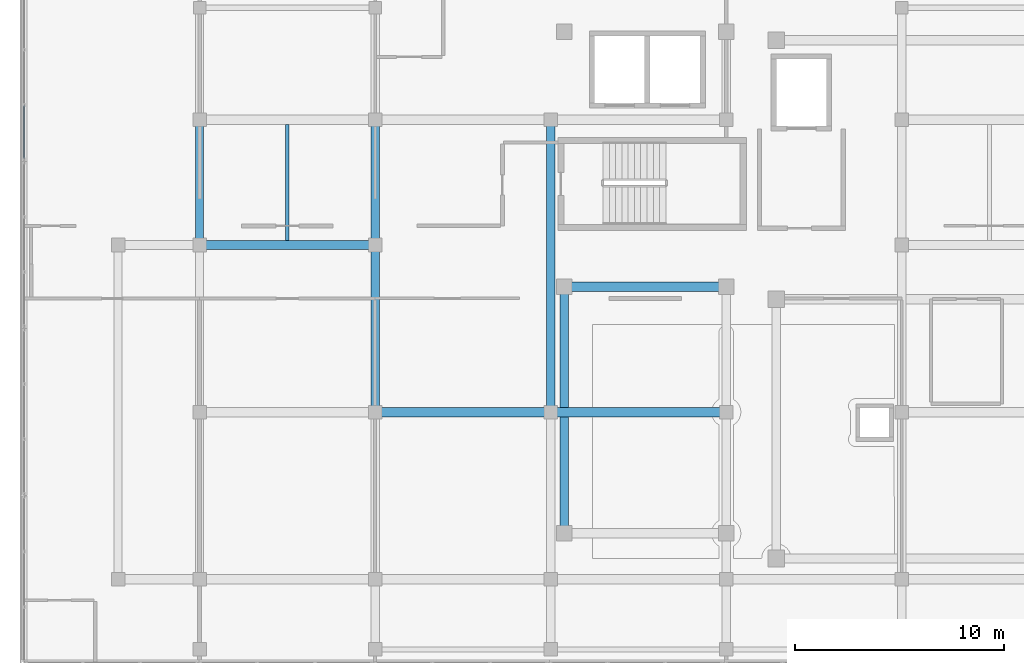
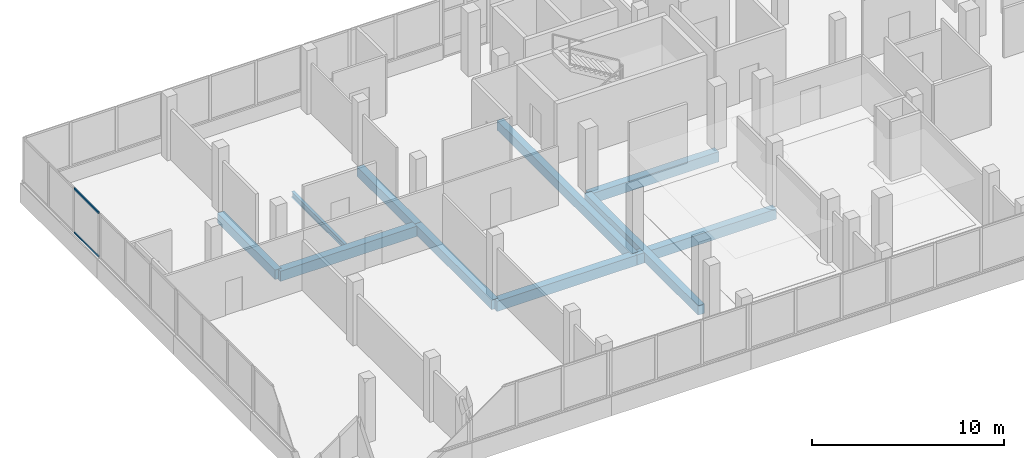
# One storey, part 17 of 76: 10 beams, 2 members, 1 element without a shape of its own.
"""IFC4 building model written with IfcOpenShell, lengths in metres."""

from ifc_helpers import new_model, si_unit, direction, frame, origin, origin_2d, place, context, subcontext, project, spatial, rectangle, hollow_rectangle, i_section, extrude, material, material_profile, profile_set, type_object, element, aggregate, save


model = new_model("IFC4")

# Units and contexts
model_context = context("Model", 3, precision=1e-05, world=origin(), true_north=direction((0.0, 1.0)))
body_context = subcontext(model_context, "Body", "Model", "MODEL_VIEW")
ifc_project = project(units=[si_unit("LENGTHUNIT", "METRE"), si_unit("AREAUNIT", "SQUARE_METRE"), si_unit("VOLUMEUNIT", "CUBIC_METRE"), si_unit("PLANEANGLEUNIT", "RADIAN"), si_unit("MASSUNIT", "GRAM", prefix="KILO")], contexts=[model_context])

# Site, building, storey
site_placement = place(None, origin())
site = spatial("IfcSite", under=ifc_project, at=site_placement, CompositionType="ELEMENT")
building_placement = place(site_placement, origin())
building = spatial("IfcBuilding", under=site, at=building_placement, Name="Selatvlak General Hospital", CompositionType="ELEMENT")
storey_placement = place(building_placement, frame((0.0, 0.0, 27.300048828125)))
storey = spatial("IfcBuildingStorey", under=building, at=storey_placement, Name="L06", CompositionType="ELEMENT", Elevation=27.300048828125)

# Beams
ifc_material_1 = material(Name="Concrete C40/50", Category="concrete")
ifc_material_profile_1 = material_profile(ifc_material_1, rectangle(XDim=0.449951171875, YDim=0.64990234375, at=origin_2d()), Name="RC-BM 450x650")
ifc_profile_set_1 = profile_set([ifc_material_profile_1], Name="Concrete C40/50")
beam_type_1 = type_object("IfcBeamType", Name="BM-G04", PredefinedType="BEAM", material=ifc_profile_set_1)
for number, where, z_axis, x_axis, name in (
    (1, (39.60009765625, 100.0, -0.60009765625), (1.0, 0.0, 0.0), (0.0, 1.0, 0.0), "Beam BMR-L06-2186"),
    (2, (48.0, 100.0, -0.60009765625), (1.0, 0.0, 0.0), (0.0, 1.0, 0.0), "Beam BMR-L06-2187"),
):
    element("IfcBeam", number, at=place(storey_placement, frame(where, z_axis=z_axis, x_axis=x_axis)), inside=storey, type_object=beam_type_1, Name=name, PredefinedType="BEAM", context=body_context, shape_type="SweptSolid", body=[
        extrude(rectangle(XDim=0.449951171875, YDim=0.64990234375, at=origin_2d()), origin(), (0.0, 0.0, 1.0), 8.39990234375),
    ])
beam_1_placement = place(storey_placement, frame((48.64990234375, 106.0, -0.60009765625), z_axis=(1.0, 0.0, 0.0), x_axis=(0.0, 1.0, 0.0)))
element("IfcBeam", 3, at=beam_1_placement, inside=storey, type_object=beam_type_1, Name="Beam BMR-L06-2203", PredefinedType="BEAM", context=body_context, shape_type="SweptSolid", body=[
    extrude(rectangle(XDim=0.449951171875, YDim=0.64990234375, at=origin_2d()), origin(), (0.0, 0.0, 1.0), 7.75),
])
beam_2_placement = place(storey_placement, frame((31.199951171875, 108.0, -0.60009765625), z_axis=(1.0, 0.0, 0.0), x_axis=(0.0, 1.0, 0.0)))
element("IfcBeam", 4, at=beam_2_placement, inside=storey, type_object=beam_type_1, Name="Beam BMR-L06-2207", PredefinedType="BEAM", context=body_context, shape_type="SweptSolid", body=[
    extrude(rectangle(XDim=0.449951171875, YDim=0.64990234375, at=origin_2d()), origin(), (0.0, 0.0, 1.0), 8.400146484375),
])
ifc_material_profile_2 = material_profile(ifc_material_1, rectangle(XDim=0.39990234375, YDim=0.60009765625, at=origin_2d()), Name="RC-BM 400x600")
ifc_profile_set_2 = profile_set([ifc_material_profile_2], Name="Concrete C40/50")
beam_type_2 = type_object("IfcBeamType", Name="BM-G05", PredefinedType="BEAM", material=ifc_profile_set_2)
beam_3_placement = place(storey_placement, frame((31.199951171875, 108.0, -0.574951171875), z_axis=(0.0, 1.0, 0.0), x_axis=(-1.0, 0.0, 0.0)))
element("IfcBeam", 5, at=beam_3_placement, inside=storey, type_object=beam_type_2, Name="Beam BMR-L06-2248", PredefinedType="BEAM", context=body_context, shape_type="SweptSolid", body=[
    extrude(rectangle(XDim=0.39990234375, YDim=0.60009765625, at=origin_2d()), origin(), (0.0, 0.0, 1.0), 6.0),
])
beam_4_placement = place(storey_placement, frame((39.60009765625, 100.0, -0.574951171875), z_axis=(0.0, 1.0, 0.0), x_axis=(-1.0, 0.0, 0.0)))
element("IfcBeam", 6, at=beam_4_placement, inside=storey, type_object=beam_type_2, Name="Beam BMR-L06-2252", PredefinedType="BEAM", context=body_context, shape_type="SweptSolid", body=[
    extrude(rectangle(XDim=0.39990234375, YDim=0.60009765625, at=origin_2d()), origin(), (0.0, 0.0, 1.0), 8.0),
])
beam_5_placement = place(storey_placement, frame((39.60009765625, 108.0, -0.574951171875), z_axis=(0.0, 1.0, 0.0), x_axis=(-1.0, 0.0, 0.0)))
element("IfcBeam", 7, at=beam_5_placement, inside=storey, type_object=beam_type_2, Name="Beam BMR-L06-2253", PredefinedType="BEAM", context=body_context, shape_type="SweptSolid", body=[
    extrude(rectangle(XDim=0.39990234375, YDim=0.60009765625, at=origin_2d()), origin(), (0.0, 0.0, 1.0), 6.0),
])
beam_6_placement = place(storey_placement, frame((48.0, 100.0, -0.574951171875), z_axis=(0.0, 1.0, 0.0), x_axis=(-1.0, 0.0, 0.0)))
element("IfcBeam", 8, at=beam_6_placement, inside=storey, type_object=beam_type_2, Name="Beam BMR-L06-2257", PredefinedType="BEAM", context=body_context, shape_type="SweptSolid", body=[
    extrude(rectangle(XDim=0.39990234375, YDim=0.60009765625, at=origin_2d()), origin(), (0.0, 0.0, 1.0), 14.0),
])
beam_7_placement = place(storey_placement, frame((48.64990234375, 94.199951171875, -0.574951171875), z_axis=(0.0, 1.0, 0.0), x_axis=(-1.0, 0.0, 0.0)))
element("IfcBeam", 9, at=beam_7_placement, inside=storey, type_object=beam_type_2, Name="Beam BMR-L06-2258", PredefinedType="BEAM", context=body_context, shape_type="SweptSolid", body=[
    extrude(rectangle(XDim=0.39990234375, YDim=0.60009765625, at=origin_2d()), origin(), (0.0, 0.0, 1.0), 11.800048828125),
])
ifc_material_2 = material(Name="Steel S355", Category="steel")
ifc_material_profile_3 = material_profile(ifc_material_2, i_section(OverallWidth=0.17138671875, OverallDepth=0.35498046875, WebThickness=0.00732421875, FlangeThickness=0.011474609375, at=origin_2d()), Name="UB 356x171x51")
ifc_profile_set_3 = profile_set([ifc_material_profile_3], Name="Steel S355")
beam_type_3 = type_object("IfcBeamType", Name="BM-J05", PredefinedType="JOIST", material=ifc_profile_set_3)
beam_8_placement = place(storey_placement, frame((35.39990234375, 108.22509765625, -0.4521484375), z_axis=(0.0, 1.0, 0.0), x_axis=(-1.0, 0.0, 0.0)))
element("IfcBeam", 10, at=beam_8_placement, inside=storey, type_object=beam_type_3, Name="Beam BMR-L06-2359", PredefinedType="JOIST", context=body_context, shape_type="SweptSolid", body=[
    extrude(i_section(OverallWidth=0.17138671875, OverallDepth=0.35498046875, WebThickness=0.00732421875, FlangeThickness=0.011474609375, at=origin_2d()), origin(), (0.0, 0.0, 1.0), 5.5498046875),
])

# Curtain wall, members
ifc_material_3 = material(Name="Solar-control Low-E double glazing", Category="glass")
curtain_wall_type = type_object("IfcCurtainWallType", Name="CW-CW-01", PredefinedType="USERDEFINED", material=ifc_material_3)
curtain_wall_placement = place(storey_placement, origin())
curtain_wall = element("IfcCurtainWall", 11, at=curtain_wall_placement, inside=storey, type_object=curtain_wall_type, Name="Glazed facade curtain wall CW-L06-0597", ObjectType="UNITISED CURTAIN WALL", PredefinedType="USERDEFINED")
ifc_material_4 = material(Name="Dark anodised aluminium mullion", Category="aluminium")
ifc_material_profile_4 = material_profile(ifc_material_4, hollow_rectangle(XDim=0.06494140625, YDim=0.1201171875, WallThickness=0.00390625, at=origin_2d()), Name="AL-TRN 65x120x4")
ifc_profile_set_4 = profile_set([ifc_material_profile_4], Name="Dark anodised aluminium mullion")
member_type = type_object("IfcMemberType", Name="CWT-01", PredefinedType="USERDEFINED", material=ifc_profile_set_4)
member_1_placement = place(storey_placement, frame((22.800048828125, 112.12890625, 0.972412109375), z_axis=(0.0, 1.0, 0.0), x_axis=(-1.0, 0.0, 0.0)))
member_1 = element("IfcMember", 12, at=member_1_placement, type_object=member_type, Name="CW-01 transom 1.1", ObjectType="TRANSOM", PredefinedType="USERDEFINED", context=body_context, shape_type="SweptSolid", body=[
    extrude(hollow_rectangle(XDim=0.06494140625, YDim=0.1201171875, WallThickness=0.00390625, at=origin_2d()), origin(), (0.0, 0.0, 1.0), 2.54248046875),
])
member_2_placement = place(storey_placement, frame((22.800048828125, 112.12890625, 3.74755859375), z_axis=(0.0, 1.0, 0.0), x_axis=(-1.0, 0.0, 0.0)))
member_2 = element("IfcMember", 13, at=member_2_placement, type_object=member_type, Name="CW-01 transom 1.2", ObjectType="TRANSOM", PredefinedType="USERDEFINED", context=body_context, shape_type="SweptSolid", body=[
    extrude(hollow_rectangle(XDim=0.06494140625, YDim=0.1201171875, WallThickness=0.00390625, at=origin_2d()), origin(), (0.0, 0.0, 1.0), 2.54248046875),
])
aggregate(curtain_wall, [member_1, member_2])

save(model, "model.ifc")
